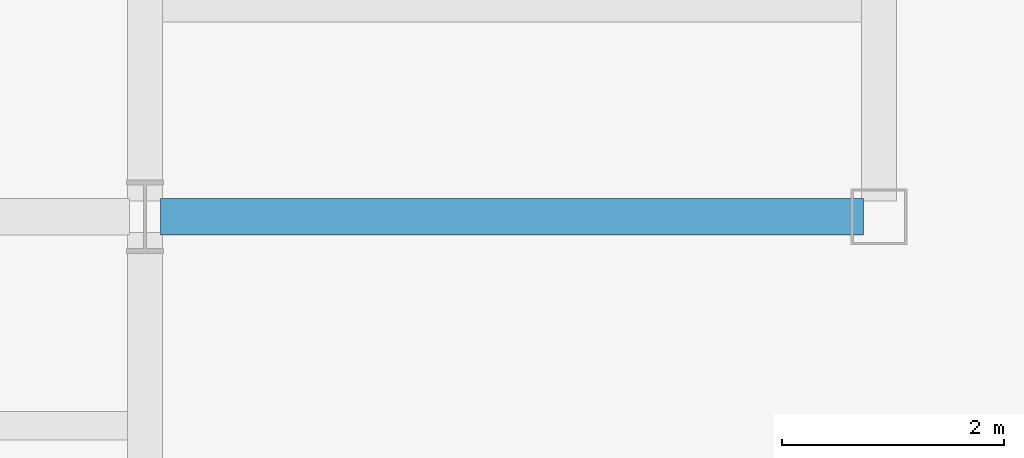
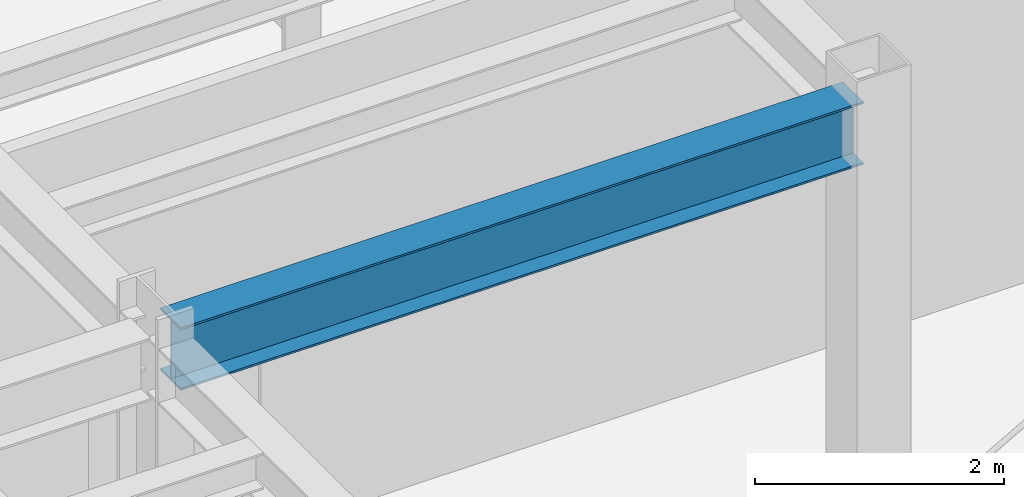
# One storey, part 48 of 94: 1 beam.
"""IFC4 building model written with IfcOpenShell, lengths in metres."""

from ifc_helpers import new_model, si_unit, direction, frame, origin, origin_2d, place, context, subcontext, project, spatial, i_section, extrude, material, material_profile, profile_set, type_object, element, save


model = new_model("IFC4")

# Units and contexts
model_context = context("Model", 3, precision=1e-05, world=origin(), true_north=direction((0.0, 1.0)))
body_context = subcontext(model_context, "Body", "Model", "MODEL_VIEW")
ifc_project = project(units=[si_unit("LENGTHUNIT", "METRE"), si_unit("AREAUNIT", "SQUARE_METRE"), si_unit("VOLUMEUNIT", "CUBIC_METRE"), si_unit("PLANEANGLEUNIT", "RADIAN"), si_unit("MASSUNIT", "GRAM", prefix="KILO")], contexts=[model_context])

# Site, building, storey
site_placement = place(None, origin())
site = spatial("IfcSite", under=ifc_project, at=site_placement, CompositionType="ELEMENT")
building_placement = place(site_placement, origin())
building = spatial("IfcBuilding", under=site, at=building_placement, Name="Sollismere Congress Hotel", CompositionType="ELEMENT")
storey_placement = place(building_placement, origin())
storey = spatial("IfcBuildingStorey", under=building, at=storey_placement, Name="L00", CompositionType="ELEMENT", Elevation=0.0)

# Beam
ifc_material = material(Name="Steel ASTM A992 Grade 50", Category="steel")
ifc_material_profile = material_profile(ifc_material, i_section(OverallWidth=0.324951171875, OverallDepth=0.612060546875, WebThickness=0.0126953125, FlangeThickness=0.01904296875, at=origin_2d()), Name="W24X104")
ifc_profile_set = profile_set([ifc_material_profile], Name="Steel ASTM A992 Grade 50")
beam_type = type_object("IfcBeamType", Name="BM-G24", PredefinedType="BEAM", material=ifc_profile_set)
beam_placement = place(storey_placement, frame((60.5400390625, 76.199951171875, 4.80908203125), z_axis=(1.0, 0.0, 0.0), x_axis=(0.0, 1.0, 0.0)))
element("IfcBeam", 1, at=beam_placement, inside=storey, type_object=beam_type, Name="Beam BM-L00-1201", PredefinedType="BEAM", context=body_context, shape_type="SweptSolid", body=[
    extrude(i_section(OverallWidth=0.324951171875, OverallDepth=0.612060546875, WebThickness=0.0126953125, FlangeThickness=0.01904296875, at=origin_2d()), origin(), (0.0, 0.0, 1.0), 6.320068359375),
])

save(model, "model.ifc")
